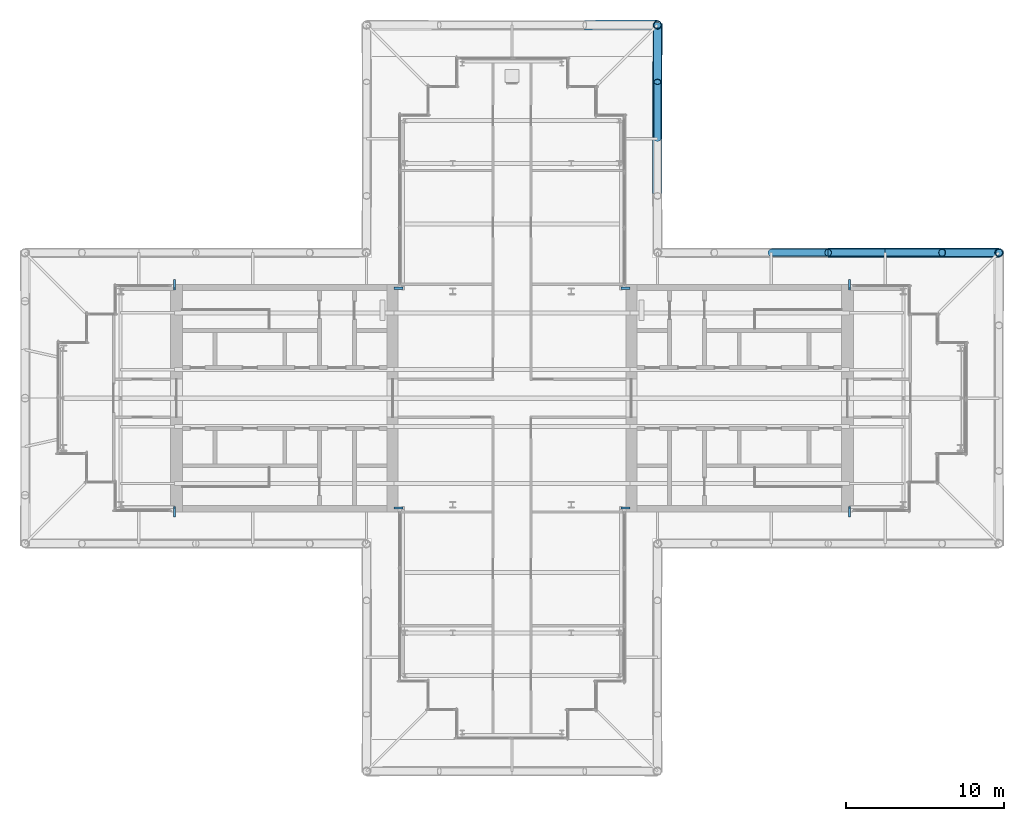
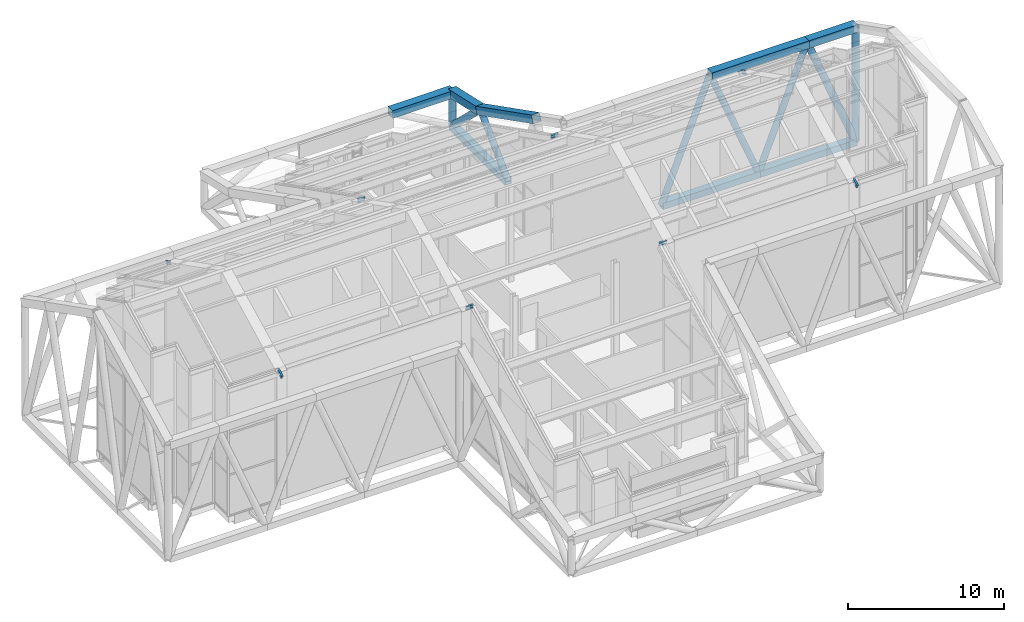
# One storey, part 16 of 25: 16 members, 8 beams.
"""IFC4 building model written with IfcOpenShell, lengths in metres."""

from ifc_helpers import new_model, si_unit, direction, frame, origin, origin_2d, place, context, subcontext, project, spatial, hollow_rectangle, hollow_circle, i_section, extrude, material, material_profile, profile_set, type_object, element, save


model = new_model("IFC4")

# Units and contexts
model_context = context("Model", 3, precision=1e-05, world=origin(), true_north=direction((0.0, 1.0)))
body_context = subcontext(model_context, "Body", "Model", "MODEL_VIEW")
ifc_project = project(units=[si_unit("LENGTHUNIT", "METRE"), si_unit("AREAUNIT", "SQUARE_METRE"), si_unit("VOLUMEUNIT", "CUBIC_METRE"), si_unit("PLANEANGLEUNIT", "RADIAN"), si_unit("MASSUNIT", "GRAM", prefix="KILO")], contexts=[model_context])

# Site, building, storey
site_placement = place(None, origin())
site = spatial("IfcSite", under=ifc_project, at=site_placement, CompositionType="ELEMENT")
building_placement = place(site_placement, origin())
building = spatial("IfcBuilding", under=site, at=building_placement, Name="Fustian Cross Tower", CompositionType="ELEMENT")
storey_placement = place(building_placement, frame((0.0, 0.0, 247.5)))
storey = spatial("IfcBuildingStorey", under=building, at=storey_placement, Name="L77", CompositionType="ELEMENT", Elevation=247.5)

# Members
ifc_material_1 = material(Name="Steel S355", Category="steel")
ifc_material_profile_1 = material_profile(ifc_material_1, hollow_circle(Radius=0.228515625, WallThickness=0.01611328125, at=origin_2d()), Name="CHS 457x16")
ifc_profile_set_1 = profile_set([ifc_material_profile_1], Name="Steel S355")
member_type_1 = type_object("IfcMemberType", Name="DIAGRID DIAGONAL CHS 457x16", PredefinedType="BRACE", material=ifc_profile_set_1)
for number, where, z_axis, x_axis, name in (
    (1, (23.60009765625, 9.199951171875, 0.0), (0.372632146332, 0.0, 0.927979139593), (0.0, 1.0, 0.0), "Diagrid diagonal E-N 02"),
    (2, (23.60009765625, 9.199951171875, 0.0), (-0.372653908684, 0.0, 0.927970400575), (0.0, -1.0, 0.0), "Diagrid diagonal E-N 03"),
    (3, (16.39990234375, 9.199951171875, 0.0), (0.372653908684, 0.0, 0.927970400575), (0.0, 1.0, 0.0), "Diagrid diagonal E-N 04"),
):
    element("IfcMember", number, at=place(storey_placement, frame(where, z_axis=z_axis, x_axis=x_axis)), inside=storey, type_object=member_type_1, Name=name, PredefinedType="BRACE", context=body_context, shape_type="SweptSolid", body=[
        extrude(hollow_circle(Radius=0.228515625, WallThickness=0.01611328125, at=origin_2d()), origin(), (0.0, 0.0, 1.0), 9.66064453125),
    ])
member_1_placement = place(storey_placement, frame((9.199951171875, 16.39990234375, 0.0), z_axis=(0.0, 0.720511876136, 0.69344259773), x_axis=(-1.0, 0.0, 0.0)))
element("IfcMember", 4, at=member_1_placement, inside=storey, type_object=member_type_1, Name="Diagrid diagonal N-E 03", PredefinedType="BRACE", context=body_context, shape_type="SweptSolid", body=[
    extrude(hollow_circle(Radius=0.228515625, WallThickness=0.01611328125, at=origin_2d()), origin(), (0.0, 0.0, 1.0), 4.99658203125),
])
ifc_material_2 = material(Name="Steel S355", Category="steel")
ifc_material_profile_2 = material_profile(ifc_material_2, hollow_circle(Radius=0.25390625, WallThickness=0.02001953125, at=origin_2d()), Name="CHS 508x20")
ifc_profile_set_2 = profile_set([ifc_material_profile_2], Name="Steel S355")
member_type_2 = type_object("IfcMemberType", Name="DIAGRID DIAGONAL CHS 508x20", PredefinedType="BRACE", material=ifc_profile_set_2)
member_2_placement = place(storey_placement, frame((30.800048828125, 9.199951171875, 0.0), z_axis=(0.00212487216, 0.000653806818, 0.999997528724), x_axis=(-0.294085848838, 0.955779008722, 0.0)))
element("IfcMember", 5, at=member_2_placement, inside=storey, type_object=member_type_2, Name="Diagrid diagonal E-end 05", PredefinedType="BRACE", context=body_context, shape_type="SweptSolid", body=[
    extrude(hollow_circle(Radius=0.25390625, WallThickness=0.02001953125, at=origin_2d()), origin(), (0.0, 0.0, 1.0), 8.9619140625),
])
member_3_placement = place(storey_placement, frame((30.800048828125, 9.199951171875, 0.0), z_axis=(-0.372653908684, 0.0, 0.927970400575), x_axis=(0.0, -1.0, 0.0)))
element("IfcMember", 6, at=member_3_placement, inside=storey, type_object=member_type_2, Name="Diagrid diagonal E-N 01", PredefinedType="BRACE", context=body_context, shape_type="SweptSolid", body=[
    extrude(hollow_circle(Radius=0.25390625, WallThickness=0.02001953125, at=origin_2d()), origin(), (0.0, 0.0, 1.0), 9.66064453125),
])
member_4_placement = place(storey_placement, frame((9.199951171875, 23.60009765625, 0.0), z_axis=(0.0, -0.720511876136, 0.69344259773), x_axis=(1.0, 0.0, 0.0)))
element("IfcMember", 7, at=member_4_placement, inside=storey, type_object=member_type_2, Name="Diagrid diagonal N-E 04", PredefinedType="BRACE", context=body_context, shape_type="SweptSolid", body=[
    extrude(hollow_circle(Radius=0.25390625, WallThickness=0.02001953125, at=origin_2d()), origin(), (0.0, 0.0, 1.0), 4.99658203125),
])
member_5_placement = place(storey_placement, frame((9.199951171875, 23.60009765625, 0.0), z_axis=(0.002763879677, 0.007001828516, 0.999971667282), x_axis=(-0.930155221331, 0.367166534736, 0.0)))
element("IfcMember", 8, at=member_5_placement, inside=storey, type_object=member_type_2, Name="Diagrid diagonal N-E 05", PredefinedType="BRACE", context=body_context, shape_type="SweptSolid", body=[
    extrude(hollow_circle(Radius=0.25390625, WallThickness=0.02001953125, at=origin_2d()), origin(), (0.0, 0.0, 1.0), 2.64990234375),
])
ifc_material_3 = material(Name="Steel S355", Category="steel")
ifc_material_profile_3 = material_profile(ifc_material_3, hollow_rectangle(XDim=0.5, YDim=0.5, WallThickness=0.02490234375, at=origin_2d()), Name="RHS 500x500x25")
ifc_profile_set_3 = profile_set([ifc_material_profile_3], Name="Steel S355")
member_type_3 = type_object("IfcMemberType", Name="DIAGRID RING RHS 500x500x25", PredefinedType="MEMBER", material=ifc_profile_set_3)
member_6_placement = place(storey_placement, frame((30.800048828125, 9.199951171875, 0.0), z_axis=(-1.0, 0.0, 0.0), x_axis=(0.0, -1.0, 0.0)))
element("IfcMember", 9, at=member_6_placement, inside=storey, type_object=member_type_3, Name="Diagrid ring L77-02 L77-03", PredefinedType="MEMBER", context=body_context, shape_type="SweptSolid", body=[
    extrude(hollow_rectangle(XDim=0.5, YDim=0.5, WallThickness=0.02490234375, at=origin_2d()), origin(), (0.0, 0.0, 1.0), 7.199951171875),
])
for number, where, z_axis, x_axis, name in (
    (10, (23.60009765625, 9.199951171875, 0.0), (-1.0, 0.0, 0.0), (0.0, -1.0, 0.0), "Diagrid ring L77-03 L77-04"),
    (11, (9.199951171875, 16.39990234375, 0.0), (0.0, 1.0, 0.0), (-1.0, 0.0, 0.0), "Diagrid ring L77-06 L77-07"),
):
    element("IfcMember", number, at=place(storey_placement, frame(where, z_axis=z_axis, x_axis=x_axis)), inside=storey, type_object=member_type_3, Name=name, PredefinedType="MEMBER", context=body_context, shape_type="SweptSolid", body=[
        extrude(hollow_rectangle(XDim=0.5, YDim=0.5, WallThickness=0.02490234375, at=origin_2d()), origin(), (0.0, 0.0, 1.0), 7.2001953125),
    ])
ifc_material_4 = material(Name="Steel S355", Category="steel")
ifc_material_profile_4 = material_profile(ifc_material_4, hollow_rectangle(XDim=0.60009765625, YDim=0.60009765625, WallThickness=0.030029296875, at=origin_2d()), Name="RHS 600x600x30")
ifc_profile_set_4 = profile_set([ifc_material_profile_4], Name="Steel S355")
member_type_4 = type_object("IfcMemberType", Name="DIAGRID RING RHS 600x600x30", PredefinedType="MEMBER", material=ifc_profile_set_4)
member_7_placement = place(storey_placement, frame((30.819091796875, 9.205810546875, 8.9619140625), z_axis=(-0.999998361786, -0.00161899357, 0.000809496785), x_axis=(0.001618994101, -0.999998689428, 0.0)))
element("IfcMember", 12, at=member_7_placement, inside=storey, type_object=member_type_4, Name="Diagrid ring TOP-02 TOP-03", PredefinedType="MEMBER", context=body_context, shape_type="SweptSolid", body=[
    extrude(hollow_rectangle(XDim=0.60009765625, YDim=0.60009765625, WallThickness=0.030029296875, at=origin_2d()), origin(), (0.0, 0.0, 1.0), 3.619140625),
])
member_8_placement = place(storey_placement, frame((27.199951171875, 9.199951171875, 8.96484375), z_axis=(-1.0, 0.0, 0.0), x_axis=(0.0, -1.0, 0.0)))
element("IfcMember", 13, at=member_8_placement, inside=storey, type_object=member_type_4, Name="Diagrid ring TOP-03 TOP-04", PredefinedType="MEMBER", context=body_context, shape_type="SweptSolid", body=[
    extrude(hollow_rectangle(XDim=0.60009765625, YDim=0.60009765625, WallThickness=0.030029296875, at=origin_2d()), origin(), (0.0, 0.0, 1.0), 7.199951171875),
])
member_9_placement = place(storey_placement, frame((9.199951171875, 12.800048828125, 7.131591796875), z_axis=(0.0, 0.891097137309, -0.453812617586), x_axis=(-1.0, 0.0, 0.0)))
element("IfcMember", 14, at=member_9_placement, inside=storey, type_object=member_type_4, Name="Diagrid ring TOP-07 TOP-08", PredefinedType="MEMBER", context=body_context, shape_type="SweptSolid", body=[
    extrude(hollow_rectangle(XDim=0.60009765625, YDim=0.60009765625, WallThickness=0.030029296875, at=origin_2d()), origin(), (0.0, 0.0, 1.0), 8.079833984375),
])
member_10_placement = place(storey_placement, frame((9.199951171875, 20.0, 3.46484375), z_axis=(0.001974561147, 0.975564843852, -0.219702836917), x_axis=(-0.999997951681, 0.002024014205, 0.0)))
element("IfcMember", 15, at=member_10_placement, inside=storey, type_object=member_type_4, Name="Diagrid ring TOP-08 TOP-09", PredefinedType="MEMBER", context=body_context, shape_type="SweptSolid", body=[
    extrude(hollow_rectangle(XDim=0.60009765625, YDim=0.60009765625, WallThickness=0.030029296875, at=origin_2d()), origin(), (0.0, 0.0, 1.0), 3.709228515625),
])
member_11_placement = place(storey_placement, frame((9.207275390625, 23.61865234375, 2.64990234375), z_axis=(-0.999991890351, -0.004027310883, 0.0), x_axis=(0.004027310883, -0.999991890351, 0.0)))
element("IfcMember", 16, at=member_11_placement, inside=storey, type_object=member_type_4, Name="Diagrid ring TOP-09 TOP-10", PredefinedType="MEMBER", context=body_context, shape_type="SweptSolid", body=[
    extrude(hollow_rectangle(XDim=0.60009765625, YDim=0.60009765625, WallThickness=0.030029296875, at=origin_2d()), origin(), (0.0, 0.0, 1.0), 4.607177734375),
])

# Beams
ifc_material_5 = material(Name="Steel S355", Category="steel")
ifc_material_profile_5 = material_profile(ifc_material_5, i_section(OverallWidth=0.14599609375, OverallDepth=0.25146484375, WebThickness=0.006103515625, FlangeThickness=0.008544921875, FilletRadius=0.007568359375, at=origin_2d()), Name="UB 254x146x31")
ifc_profile_set_5 = profile_set([ifc_material_profile_5], Name="Steel S355")
beam_type = type_object("IfcBeamType", Name="ROOF BRACKET UB 254x146x31 S355", PredefinedType="BEAM", material=ifc_profile_set_5)
for number, where, z_axis, x_axis, name in (
    (17, (21.35009765625, -6.89990234375, 10.044921875), (0.0, -0.891160207936, -0.45368875211), (1.0, 0.0, 0.0), "ROOF BEAM 002"),
    (18, (21.35009765625, 6.89990234375, 10.044921875), (0.0, 0.891160207936, -0.45368875211), (-1.0, 0.0, 0.0), "ROOF BEAM 006"),
):
    element("IfcBeam", number, at=place(storey_placement, frame(where, z_axis=z_axis, x_axis=x_axis)), inside=storey, type_object=beam_type, Name=name, PredefinedType="BEAM", context=body_context, shape_type="SweptSolid", body=[
        extrude(i_section(OverallWidth=0.14599609375, OverallDepth=0.25146484375, WebThickness=0.006103515625, FlangeThickness=0.008544921875, FilletRadius=0.007568359375, at=origin_2d()), origin(), (0.0, 0.0, 1.0), 0.6171875),
    ])
for number, where, z_axis, x_axis, name in (
    (19, (6.89990234375, 6.949951171875, 10.034912109375), (1.0, 0.0, 0.0), (0.0, 1.0, 0.0), "ROOF BEAM 008"),
    (20, (-6.89990234375, 6.949951171875, 10.034912109375), (-1.0, 0.0, 0.0), (0.0, -1.0, 0.0), "ROOF BEAM 013"),
):
    element("IfcBeam", number, at=place(storey_placement, frame(where, z_axis=z_axis, x_axis=x_axis)), inside=storey, type_object=beam_type, Name=name, PredefinedType="BEAM", context=body_context, shape_type="SweptSolid", body=[
        extrude(i_section(OverallWidth=0.14599609375, OverallDepth=0.25146484375, WebThickness=0.006103515625, FlangeThickness=0.008544921875, FilletRadius=0.007568359375, at=origin_2d()), origin(), (0.0, 0.0, 1.0), 0.550048828125),
    ])
for number, where, z_axis, x_axis, name in (
    (21, (-21.35009765625, 6.89990234375, 10.044921875), (0.0, 0.891160207936, -0.45368875211), (-1.0, 0.0, 0.0), "ROOF BEAM 015"),
    (22, (-21.35009765625, -6.89990234375, 10.044921875), (0.0, -0.891160207936, -0.45368875211), (1.0, 0.0, 0.0), "ROOF BEAM 019"),
):
    element("IfcBeam", number, at=place(storey_placement, frame(where, z_axis=z_axis, x_axis=x_axis)), inside=storey, type_object=beam_type, Name=name, PredefinedType="BEAM", context=body_context, shape_type="SweptSolid", body=[
        extrude(i_section(OverallWidth=0.14599609375, OverallDepth=0.25146484375, WebThickness=0.006103515625, FlangeThickness=0.008544921875, FilletRadius=0.007568359375, at=origin_2d()), origin(), (0.0, 0.0, 1.0), 0.6171875),
    ])
for number, where, z_axis, x_axis, name in (
    (23, (-6.89990234375, -6.949951171875, 10.034912109375), (-1.0, 0.0, 0.0), (0.0, -1.0, 0.0), "ROOF BEAM 021"),
    (24, (6.89990234375, -6.949951171875, 10.034912109375), (1.0, 0.0, 0.0), (0.0, 1.0, 0.0), "ROOF BEAM 026"),
):
    element("IfcBeam", number, at=place(storey_placement, frame(where, z_axis=z_axis, x_axis=x_axis)), inside=storey, type_object=beam_type, Name=name, PredefinedType="BEAM", context=body_context, shape_type="SweptSolid", body=[
        extrude(i_section(OverallWidth=0.14599609375, OverallDepth=0.25146484375, WebThickness=0.006103515625, FlangeThickness=0.008544921875, FilletRadius=0.007568359375, at=origin_2d()), origin(), (0.0, 0.0, 1.0), 0.550048828125),
    ])

save(model, "model.ifc")
